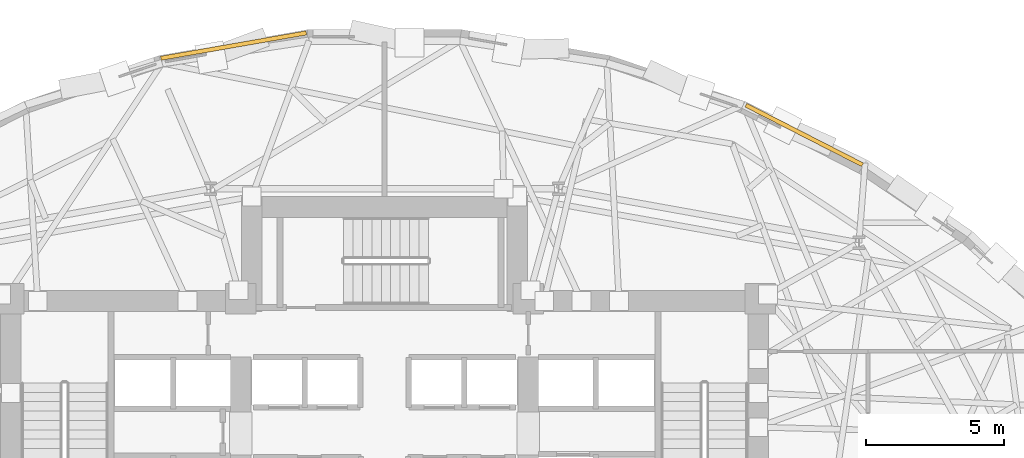
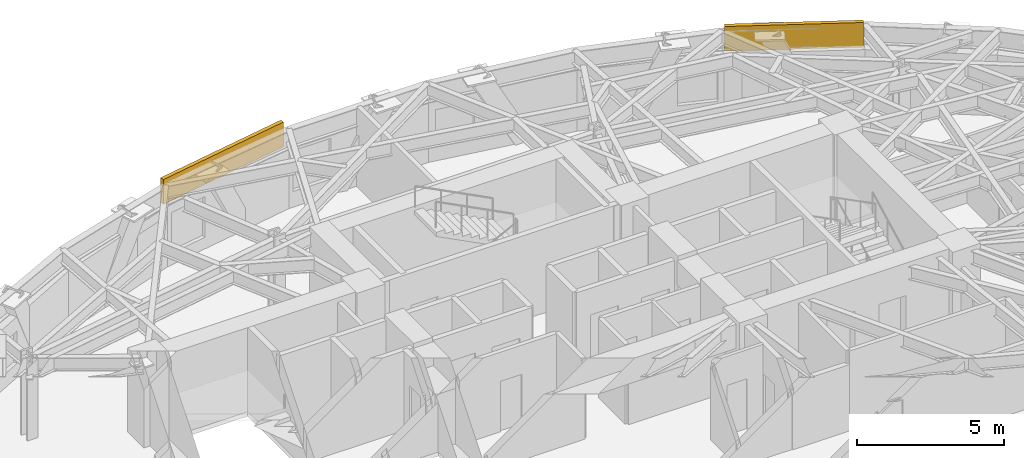
# One storey, part 17 of 17: 2 coverings.
"""IFC4 building model written with IfcOpenShell, lengths in metres."""

from ifc_helpers import new_model, si_unit, direction, frame, origin, origin_2d, place, context, subcontext, project, spatial, rectangle, extrude, material, layer, layer_set, type_object, element, save


model = new_model("IFC4")

# Units and contexts
model_context = context("Model", 3, precision=1e-05, world=origin(), true_north=direction((0.0, 1.0)))
body_context = subcontext(model_context, "Body", "Model", "MODEL_VIEW")
ifc_project = project(units=[si_unit("LENGTHUNIT", "METRE"), si_unit("AREAUNIT", "SQUARE_METRE"), si_unit("VOLUMEUNIT", "CUBIC_METRE"), si_unit("PLANEANGLEUNIT", "RADIAN"), si_unit("MASSUNIT", "GRAM", prefix="KILO")], contexts=[model_context])

# Site, building, storey
site_placement = place(None, origin())
site = spatial("IfcSite", under=ifc_project, at=site_placement, CompositionType="ELEMENT")
building_placement = place(site_placement, origin())
building = spatial("IfcBuilding", under=site, at=building_placement, Name="Keldmark Tower", CompositionType="ELEMENT")
storey_placement = place(building_placement, frame((0.0, 0.0, 96.60009765625)))
storey = spatial("IfcBuildingStorey", under=building, at=storey_placement, Name="L25", CompositionType="ELEMENT", Elevation=96.60009765625)

# Coverings
ifc_material = material(Name="Honed Kasota Buff Dolomitic Limestone", Category="masonry")
ifc_layer = layer(ifc_material, 0.074951171875)
ifc_layer_set = layer_set([ifc_layer], Name="Honed Kasota Buff Dolomitic Limestone")
covering_type = type_object("IfcCoveringType", Name="Kasota Buff Limestone Spandrel Cladding Band", PredefinedType="CLADDING", material=ifc_layer_set)
covering_1_placement = place(storey_placement, frame((15.187744140625, 15.37939453125, 2.45166015625), z_axis=(0.0, 0.0, 1.0), x_axis=(-0.890300246548, 0.45537399025, 0.0)))
element("IfcCovering", 1, at=covering_1_placement, inside=storey, type_object=covering_type, Name="L25 Kasota Limestone Spandrel Band 05", PredefinedType="CLADDING", context=body_context, shape_type="SweptSolid", body=[
    extrude(rectangle(XDim=4.736083984375, YDim=0.14990234375, at=origin_2d()), origin(), (0.0, 0.0, 1.0), 1.028076171875),
])
covering_2_placement = place(storey_placement, frame((-5.459228515625, 18.61376953125, 2.45166015625), z_axis=(0.0, 0.0, 1.0), x_axis=(-0.985076299982, -0.172118224523, 0.0)))
element("IfcCovering", 2, at=covering_2_placement, inside=storey, type_object=covering_type, Name="L25 Kasota Limestone Spandrel Band 09", PredefinedType="CLADDING", context=body_context, shape_type="SweptSolid", body=[
    extrude(rectangle(XDim=5.3408203125, YDim=0.14990234375, at=origin_2d()), origin(), (0.0, 0.0, 1.0), 1.028076171875),
])

save(model, "model.ifc")
